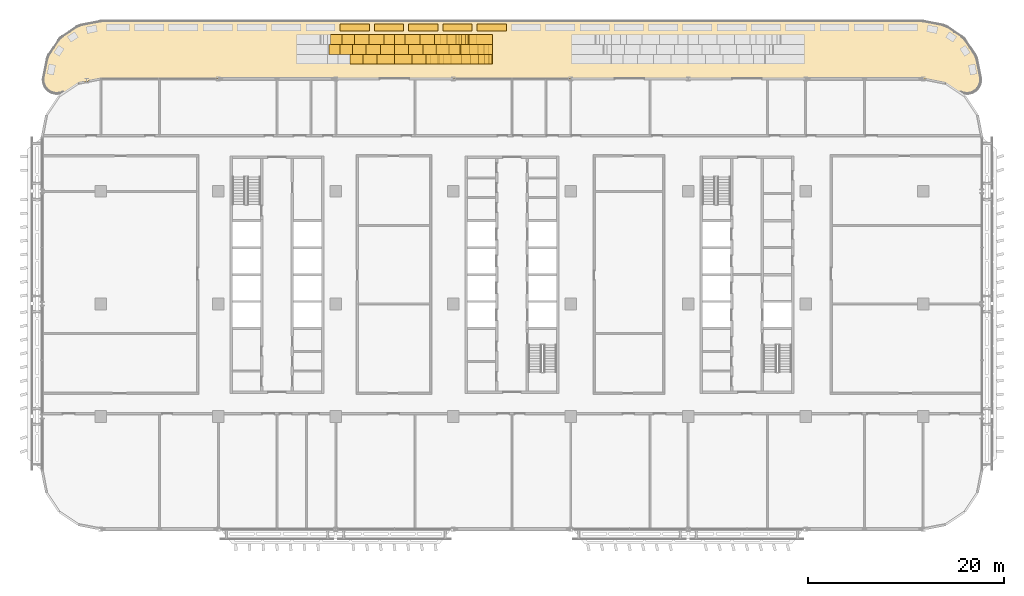
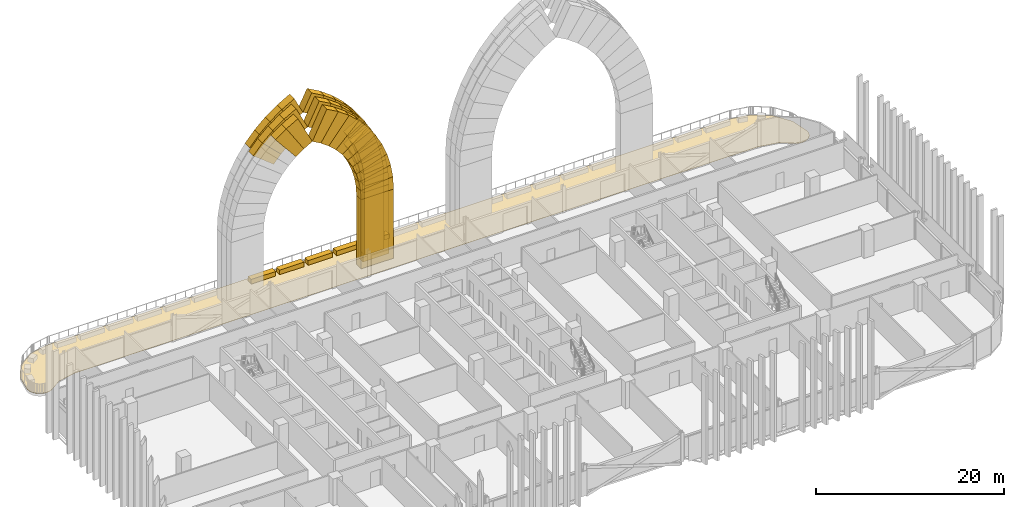
# One storey, part 25 of 30: 49 coverings.
"""IFC4 building model written with IfcOpenShell, lengths in metres."""

import ifcopenshell
import ifcopenshell.guid

model = None  # the IFC model being written
_history = None  # IfcOwnerHistory: only IFC2X3 demands one
_inside = {}  # id of a spatial element -> (the spatial element, [elements in it])
_under = {}  # id of a project, library or spatial element -> (it, [spatial elements below it])
_declared = {}  # id of a project -> (the project, [libraries it declares])
_typed = {}  # id of a type object -> (the type object, [elements of that type])
_made_of = {}  # id of a material, layer set ... -> (it, [elements and type objects made of it])


def new_model(schema):
    """Start an empty IFC model of exactly this schema.

    Asked for "IFC4X3", IfcOpenShell would pick the latest addendum, in which some entities
    have other attributes; the version numbers below select the first issue.
    IFC2X3 requires an IfcOwnerHistory on every rooted entity: one is made here for all.
    """
    global model, _history
    if schema == "IFC4X3":
        model = ifcopenshell.file(schema_version=(4, 3, 0, 0))
    else:
        model = ifcopenshell.file(schema=schema)
    _inside.clear()
    _under.clear()
    _declared.clear()
    _typed.clear()
    _made_of.clear()
    _history = None
    if model.schema == "IFC2X3":
        org = make("IfcOrganization", Name="unknown")
        user = make(
            "IfcPersonAndOrganization",
            ThePerson=make("IfcPerson", FamilyName="unknown"),
            TheOrganization=org,
        )
        app = make(
            "IfcApplication",
            ApplicationDeveloper=org,
            Version="unknown",
            ApplicationFullName="unknown",
            ApplicationIdentifier="unknown",
        )
        _history = make(
            "IfcOwnerHistory",
            OwningUser=user,
            OwningApplication=app,
            ChangeAction="ADDED",
            CreationDate=0,
        )
    return model


def make(cls, **values):
    """One entity of the class cls with the attributes given. An attribute that is None is left unset."""
    return model.create_entity(
        cls, **{name: value for name, value in values.items() if value is not None}
    )


def rooted(cls, **values):
    """An entity with a GlobalId (a new one), such as an element, a storey or a relation."""
    return make(cls, GlobalId=ifcopenshell.guid.new(), OwnerHistory=_history, **values)


def si_unit(unit_type, name, prefix=None):
    """IfcSIUnit, for example si_unit("LENGTHUNIT", "METRE", prefix="MILLI")."""
    return make("IfcSIUnit", UnitType=unit_type, Prefix=prefix, Name=name)


def assignment(units):
    """IfcUnitAssignment: the units of a project."""
    return None if units is None else make("IfcUnitAssignment", Units=units)


def point(xyz):
    """IfcCartesianPoint."""
    return None if xyz is None else make("IfcCartesianPoint", Coordinates=xyz)


def direction(xyz):
    """IfcDirection."""
    return None if xyz is None else make("IfcDirection", DirectionRatios=xyz)


def frame(location, z_axis=None, x_axis=None):
    """IfcAxis2Placement3D, a coordinate frame: its origin and axes. An axis left out is left unset."""
    return make(
        "IfcAxis2Placement3D",
        Location=point(location),
        Axis=direction(z_axis),
        RefDirection=direction(x_axis),
    )


def frame_2d(location, x_axis=None):
    """IfcAxis2Placement2D, a coordinate frame in the plane: its origin and x axis."""
    return make(
        "IfcAxis2Placement2D", Location=point(location), RefDirection=direction(x_axis)
    )


def origin():
    """The frame at (0, 0, 0) with its axes left unset."""
    return frame((0.0, 0.0, 0.0))


def origin_2d():
    """The frame at (0, 0) in the plane with its x axis left unset."""
    return frame_2d((0.0, 0.0))


def place(relative_to, where):
    """IfcLocalPlacement: puts the frame where relative to a parent placement (None: the world)."""
    return make(
        "IfcLocalPlacement", PlacementRelTo=relative_to, RelativePlacement=where
    )


def context(
    kind, dimensions, precision=None, world=None, true_north=None, identifier=None
):
    """IfcGeometricRepresentationContext, for example the 3D "Model" context."""
    return make(
        "IfcGeometricRepresentationContext",
        ContextIdentifier=identifier,
        ContextType=kind,
        CoordinateSpaceDimension=dimensions,
        Precision=precision,
        WorldCoordinateSystem=world,
        TrueNorth=true_north,
    )


def subcontext(parent, identifier, kind, view, scale=None):
    """IfcGeometricRepresentationSubContext, for example "Body" below "Model"."""
    return make(
        "IfcGeometricRepresentationSubContext",
        ContextIdentifier=identifier,
        ContextType=kind,
        ParentContext=parent,
        TargetScale=scale,
        TargetView=view,
    )


def project(units=None, contexts=None):
    """IfcProject with its units and contexts."""
    return rooted(
        "IfcProject",
        Name="project",
        RepresentationContexts=contexts,
        UnitsInContext=assignment(units),
    )


def spatial(cls, under=None, at=None, **own):
    """A site, building, storey or space (cls), placed at a placement, below another one or the project."""
    s = rooted(cls, ObjectPlacement=at, **own)
    if under is not None:
        _under.setdefault(under.id(), (under, []))[1].append(s)
    return s


def polyline(points):
    """IfcPolyline through the points."""
    return make("IfcPolyline", Points=[point(p) for p in points])


def profile(cls, at=None, kind="AREA", **sizes):
    """A parametric profile (cls). Its sizes go by their IFC names, for example OverallWidth=200.0."""
    return make(cls, ProfileType=kind, Position=at, **sizes)


def rectangle(**sizes):
    """IfcRectangleProfileDef."""
    return profile("IfcRectangleProfileDef", **sizes)


def outline(outer, holes=None, kind="AREA"):
    """IfcArbitraryClosedProfileDef: a profile drawn as a closed curve; with holes, ...WithVoids."""
    if holes is None:
        return make("IfcArbitraryClosedProfileDef", ProfileType=kind, OuterCurve=outer)
    return make(
        "IfcArbitraryProfileDefWithVoids",
        ProfileType=kind,
        OuterCurve=outer,
        InnerCurves=holes,
    )


def extrude(swept, where, along, depth):
    """IfcExtrudedAreaSolid: the profile swept, set in the frame where, extruded along a direction by depth."""
    return make(
        "IfcExtrudedAreaSolid",
        SweptArea=swept,
        Position=where,
        ExtrudedDirection=direction(along),
        Depth=depth,
    )


def shape(context_of_items, identifier, shape_type, items):
    """IfcShapeRepresentation: the items that make up one representation, for example the "Body"."""
    return make(
        "IfcShapeRepresentation",
        ContextOfItems=context_of_items,
        RepresentationIdentifier=identifier,
        RepresentationType=shape_type,
        Items=items,
    )


def material(Name=None, Category=None):
    """IfcMaterial."""
    return make("IfcMaterial", Name=Name, Category=Category)


def layer(
    of_material, thickness, ventilated=None, Name=None, Category=None, Priority=None
):
    """IfcMaterialLayer: one layer of a wall or slab, of a material (None: an air gap)."""
    return make(
        "IfcMaterialLayer",
        Material=of_material,
        LayerThickness=thickness,
        IsVentilated=ventilated,
        Name=Name,
        Category=Category,
        Priority=Priority,
    )


def layer_set(layers, Name=None):
    """IfcMaterialLayerSet."""
    return make("IfcMaterialLayerSet", MaterialLayers=layers, LayerSetName=Name)


def made_of(thing, what):
    """Note that an element or type object is made of a material, layer set ...; save() writes the relation."""
    if what is not None:
        _made_of.setdefault(what.id(), (what, []))[1].append(thing)
    return thing


def type_object(cls, material=None, **own):
    """A type object (cls), such as IfcWallType, which elements share."""
    return made_of(rooted(cls, **own), material)


def element(
    cls,
    number,
    at=None,
    inside=None,
    cuts=None,
    type_object=None,
    material=None,
    context=None,
    identifier="Body",
    shape_type=None,
    held_by="IfcProductDefinitionShape",
    body=None,
    shapes=None,
    **own,
):
    """One element of the class cls, such as IfcWall. Its Tag is "e" and its number.

    at: its placement. inside: the storey or other place that contains it. cuts: it is an
    opening in that element (IfcRelVoidsElement). A single representation is given by context,
    identifier, shape_type and body (its items); several are given by shapes. held_by: the class
    of the entity that holds the representations. save() writes the other relations.
    """
    e = rooted(cls, Tag="e%d" % number, ObjectPlacement=at, **own)
    if body is not None:
        shapes = [shape(context, identifier, shape_type, body)]
    if shapes is not None:
        e.Representation = make(held_by, Representations=shapes)
    if inside is not None:
        _inside.setdefault(inside.id(), (inside, []))[1].append(e)
    if cuts is not None:
        rooted(
            "IfcRelVoidsElement", RelatingBuildingElement=cuts, RelatedOpeningElement=e
        )
    if type_object is not None:
        _typed.setdefault(type_object.id(), (type_object, []))[1].append(e)
    return made_of(e, material)


def aggregate(whole, parts):
    """IfcRelAggregates: a whole, such as a stair, and the parts it consists of."""
    return rooted("IfcRelAggregates", RelatingObject=whole, RelatedObjects=parts)


def save(model, path):
    """Write the relations noted so far, then the file.

    IfcRelAggregates (storeys below a building ...), IfcRelContainedInSpatialStructure (elements
    in a storey), IfcRelDefinesByType, IfcRelAssociatesMaterial and IfcRelDeclares: one each for
    every whole, place, type object, material and project.
    """
    for whole, parts in _under.values():
        aggregate(whole, parts)
    for where, things in _inside.values():
        rooted(
            "IfcRelContainedInSpatialStructure",
            RelatedElements=things,
            RelatingStructure=where,
        )
    for kind, things in _typed.values():
        rooted("IfcRelDefinesByType", RelatedObjects=things, RelatingType=kind)
    for what, things in _made_of.values():
        rooted("IfcRelAssociatesMaterial", RelatedObjects=things, RelatingMaterial=what)
    for by, libraries in _declared.values():
        rooted("IfcRelDeclares", RelatingContext=by, RelatedDefinitions=libraries)
    model.write(path)


model = new_model("IFC4")

# Units and contexts
model_context = context("Model", 3, precision=1e-05, world=origin(), true_north=direction((0.0, 1.0)))
body_context = subcontext(model_context, "Body", "Model", "MODEL_VIEW")
ifc_project = project(units=[si_unit("LENGTHUNIT", "METRE"), si_unit("AREAUNIT", "SQUARE_METRE"), si_unit("VOLUMEUNIT", "CUBIC_METRE"), si_unit("PLANEANGLEUNIT", "RADIAN"), si_unit("MASSUNIT", "GRAM", prefix="KILO")], contexts=[model_context])

# Site, building, storey
site_placement = place(None, origin())
site = spatial("IfcSite", under=ifc_project, at=site_placement, CompositionType="ELEMENT")
building_placement = place(site_placement, origin())
building = spatial("IfcBuilding", under=site, at=building_placement, Name="Mahtab Terrace Research Tower", CompositionType="ELEMENT")
storey_placement = place(building_placement, frame((0.0, 0.0, 159.199951171875)))
storey = spatial("IfcBuildingStorey", under=building, at=storey_placement, Name="L37", CompositionType="ELEMENT", Elevation=159.199951171875)

# Coverings
ifc_material_1 = material(Name="Glazed ceramic tile cladding", Category="masonry")
ifc_layer_1 = layer(ifc_material_1, 1.0)
ifc_layer_set_1 = layer_set([ifc_layer_1], Name="Iwan portal cladding arch course 800")
covering_type_1 = type_object("IfcCoveringType", Name="Iwan portal cladding arch course 800", PredefinedType="CLADDING", material=ifc_layer_set_1)
covering_1_placement = place(storey_placement, frame((-2.0, 24.5, 9.030029296875), z_axis=(0.0, -1.0, 0.0), x_axis=(-0.055437093457, 0.0, 0.998462181892)))
element("IfcCovering", 1, at=covering_1_placement, inside=storey, type_object=covering_type_1, Name="Iwan portal arch course 4.2.1W1", PredefinedType="CLADDING", context=body_context, shape_type="SweptSolid", body=[
    extrude(outline(polyline([(0.0, 0.0), (1.6426628354032278, -1.3877787807814457e-17), (1.420583357484056, 3.993305934573356), (0.22174837382899998, 3.993848727568959), (0.0, 0.0)])), origin(), (0.0, 0.0, -1.0), 1.0),
])
covering_2_placement = place(storey_placement, frame((-2.091064453125, 24.5, 10.670166015625), z_axis=(0.0, -1.0, 0.0), x_axis=(-0.165677060377, 0.0, 0.986180060468)))
element("IfcCovering", 2, at=covering_2_placement, inside=storey, type_object=covering_type_1, Name="Iwan portal arch course 4.2.1W2", PredefinedType="CLADDING", context=body_context, shape_type="SweptSolid", body=[
    extrude(outline(polyline([(0.0, 0.0), (1.6415830630429322, -5.551115123125783e-17), (1.4191042888045753, 3.993910702466245), (0.2215506372685931, 3.993335309830307), (0.0, 0.0)])), origin(), (0.0, 0.0, -1.0), 1.0),
])
covering_3_placement = place(storey_placement, frame((-2.363037109375, 24.5, 12.2890625), z_axis=(0.0, -1.0, 0.0), x_axis=(-0.273877063841, 0.0, 0.961764708181)))
element("IfcCovering", 3, at=covering_3_placement, inside=storey, type_object=covering_type_1, Name="Iwan portal arch course 4.2.1W3", PredefinedType="CLADDING", context=body_context, shape_type="SweptSolid", body=[
    extrude(outline(polyline([(0.0, 0.0), (1.6428946826182138, 0.0), (1.4203357913264014, 3.9946980819467073), (0.22121445372998272, 3.9939809300648847), (0.0, 0.0)])), origin(), (0.0, 0.0, -1.0), 1.0),
])
covering_4_placement = place(storey_placement, frame((-2.81298828125, 24.5, 13.869140625), z_axis=(0.0, -1.0, 0.0), x_axis=(-0.379269308261, 0.0, 0.925286329636)))
element("IfcCovering", 4, at=covering_4_placement, inside=storey, type_object=covering_type_1, Name="Iwan portal arch course 4.2.1W4", PredefinedType="CLADDING", context=body_context, shape_type="SweptSolid", body=[
    extrude(outline(polyline([(0.0, 0.0), (1.6427558503407425, 0.0), (1.422137776305045, 3.9941519644603893), (0.22364736885833691, 3.9946372902185354), (0.0, 0.0)])), origin(), (0.0, 0.0, -1.0), 1.0),
])
covering_5_placement = place(storey_placement, frame((-3.43603515625, 24.5, 15.38916015625), z_axis=(0.0, -1.0, 0.0), x_axis=(-0.478820864805, 0.0, 0.877912626306)))
element("IfcCovering", 5, at=covering_5_placement, inside=storey, type_object=covering_type_1, Name="Iwan portal arch course 4.2.1W5", PredefinedType="CLADDING", context=body_context, shape_type="SweptSolid", body=[
    extrude(outline(polyline([(0.0, 0.0), (1.6412999717443724, 0.0), (1.4188001105659165, 3.9943428938694208), (0.22040329418192073, 3.994163822091899), (0.0, 0.0)])), origin(), (0.0, 0.0, -1.0), 1.0),
])
covering_6_placement = place(storey_placement, frame((-4.221923828125, 24.5, 16.830078125), z_axis=(0.0, -1.0, 0.0), x_axis=(-0.57345237108, 0.0, 0.819238901727)))
element("IfcCovering", 6, at=covering_6_placement, inside=storey, type_object=covering_type_1, Name="Iwan portal arch course 4.2.1W6", PredefinedType="CLADDING", context=body_context, shape_type="SweptSolid", body=[
    extrude(outline(polyline([(0.0, 0.0), (1.6429240149458537, -1.1102230246251565e-16), (1.4213467601284338, 3.994052927058391), (0.22294006213898498, 3.9943183486951863), (0.0, 0.0)])), origin(), (0.0, 0.0, -1.0), 1.0),
])
covering_7_placement = place(storey_placement, frame((-5.1640625, 24.5, 18.176025390625), z_axis=(0.0, -1.0, 0.0), x_axis=(-0.660627894892, 0.0, 0.750713516923)))
element("IfcCovering", 7, at=covering_7_placement, inside=storey, type_object=covering_type_1, Name="Iwan portal arch course 4.2.1W7", PredefinedType="CLADDING", context=body_context, shape_type="SweptSolid", body=[
    extrude(outline(polyline([(0.0, 0.0), (1.642317779628924, -1.1102230246251565e-16), (1.4207619867097583, 3.9940891574966066), (0.22198100174711066, 3.994030508003097), (0.0, 0.0)])), origin(), (0.0, 0.0, -1.0), 1.0),
])
covering_8_placement = place(storey_placement, frame((-6.2490234375, 24.5, 19.408935546875), z_axis=(0.0, -1.0, 0.0), x_axis=(-0.739758455657, 0.0, 0.672872519341)))
element("IfcCovering", 8, at=covering_8_placement, inside=storey, type_object=covering_type_1, Name="Iwan portal arch course 4.2.1W8", PredefinedType="CLADDING", context=body_context, shape_type="SweptSolid", body=[
    extrude(outline(polyline([(0.0, 0.0), (1.6425468088038264, 0.0), (1.4203208981252005, 3.993836333029879), (0.22246726178672005, 3.994038493159663), (0.0, 0.0)])), origin(), (0.0, 0.0, -1.0), 1.0),
])
covering_9_placement = place(storey_placement, frame((-7.464111328125, 24.5, 20.51416015625), z_axis=(0.0, -1.0, 0.0), x_axis=(-0.80968637444, 0.0, 0.586862824727)))
element("IfcCovering", 9, at=covering_9_placement, inside=storey, type_object=covering_type_1, Name="Iwan portal arch course 4.2.1W9", PredefinedType="CLADDING", context=body_context, shape_type="SweptSolid", body=[
    extrude(outline(polyline([(0.0, 0.0), (1.6424062777333286, 0.0), (1.419830523295164, 3.994594574532145), (0.22117310543967927, 3.993894774256911), (0.0, 0.0)])), origin(), (0.0, 0.0, -1.0), 1.0),
])
covering_10_placement = place(storey_placement, frame((-8.7939453125, 24.5, 21.47802734375), z_axis=(0.0, -1.0, 0.0), x_axis=(-0.869794590847, 0.0, 0.493413994261)))
element("IfcCovering", 10, at=covering_10_placement, inside=storey, type_object=covering_type_1, Name="Iwan portal arch course 4.2.1W10", PredefinedType="CLADDING", context=body_context, shape_type="SweptSolid", body=[
    extrude(outline(polyline([(0.0, 0.0), (1.641742235064569, 0.0), (1.4203970752426458, 3.9938084803416776), (0.22195658456401945, 3.994629026069135), (0.0, 0.0)])), origin(), (0.0, 0.0, -1.0), 1.0),
])
covering_11_placement = place(storey_placement, frame((-14.012939453125, 24.5, 17.41015625), z_axis=(0.0, -1.0, 0.0), x_axis=(0.810028858696, 0.0, 0.586390013625)))
element("IfcCovering", 11, at=covering_11_placement, inside=storey, type_object=covering_type_1, Name="Iwan portal arch course 4.2.1E9", PredefinedType="CLADDING", context=body_context, shape_type="SweptSolid", body=[
    extrude(outline(polyline([(0.0, 0.0), (1.1986576221341951, 0.0), (1.418901214494905, 3.9947238379354104), (-0.2235047833347794, 3.9937649683266248), (0.0, 0.0)])), origin(), (0.0, 0.0, -1.0), 1.0),
])
covering_12_placement = place(storey_placement, frame((-13.0419921875, 24.5, 18.113037109375), z_axis=(0.0, -1.0, 0.0), x_axis=(0.869456557393, 0.0, 0.49400940761)))
element("IfcCovering", 12, at=covering_12_placement, inside=storey, type_object=covering_type_1, Name="Iwan portal arch course 4.2.1E10", PredefinedType="CLADDING", context=body_context, shape_type="SweptSolid", body=[
    extrude(outline(polyline([(0.0, 0.0), (1.198440771583359, 0.0), (1.4225203513162432, 3.993655994120228), (-0.21922149893734888, 3.994780058494965), (0.0, 0.0)])), origin(), (0.0, 0.0, -1.0), 1.0),
])
covering_13_placement = place(storey_placement, frame((-2.0, 25.5, 9.030029296875), z_axis=(0.0, -1.0, 0.0), x_axis=(-0.055422674108, 0.0, 0.998462982386)))
element("IfcCovering", 13, at=covering_13_placement, inside=storey, type_object=covering_type_1, Name="Iwan portal arch course 4.2.2W1", PredefinedType="CLADDING", context=body_context, shape_type="SweptSolid", body=[
    extrude(outline(polyline([(0.0, 0.0), (1.7135712892547854, 0.0), (1.5353767467416721, 3.194717996515579), (0.17734985095997974, 3.1950327905592237), (0.0, 0.0)])), origin(), (0.0, 0.0, -1.0), 1.0),
])
covering_14_placement = place(storey_placement, frame((-2.094970703125, 25.5, 10.740966796875), z_axis=(0.0, -1.0, 0.0), x_axis=(-0.165785799005, 0.0, 0.986161786345)))
element("IfcCovering", 14, at=covering_14_placement, inside=storey, type_object=covering_type_1, Name="Iwan portal arch course 4.2.2W2", PredefinedType="CLADDING", context=body_context, shape_type="SweptSolid", body=[
    extrude(outline(polyline([(0.0, 0.0), (1.7126650688919498, 0.0), (1.536142697712223, 3.1955560015426827), (0.17711933464351381, 3.1947777878183348), (0.0, 0.0)])), origin(), (0.0, 0.0, -1.0), 1.0),
])
covering_15_placement = place(storey_placement, frame((-2.37890625, 25.5, 12.429931640625), z_axis=(0.0, -1.0, 0.0), x_axis=(-0.274344842849, 0.0, 0.961631378025)))
element("IfcCovering", 15, at=covering_15_placement, inside=storey, type_object=covering_type_1, Name="Iwan portal arch course 4.2.2W3", PredefinedType="CLADDING", context=body_context, shape_type="SweptSolid", body=[
    extrude(outline(polyline([(0.0, 0.0), (1.713955468841208, 0.0), (1.5375503830734787, 3.194905737262012), (0.17967250671671264, 3.1953804306924867), (0.0, 0.0)])), origin(), (0.0, 0.0, -1.0), 1.0),
])
covering_16_placement = place(storey_placement, frame((-2.84912109375, 25.5, 14.078125), z_axis=(0.0, -1.0, 0.0), x_axis=(-0.378699417283, 0.0, 0.92551971959)))
element("IfcCovering", 16, at=covering_16_placement, inside=storey, type_object=covering_type_1, Name="Iwan portal arch course 4.2.2W4", PredefinedType="CLADDING", context=body_context, shape_type="SweptSolid", body=[
    extrude(outline(polyline([(0.0, 0.0), (1.7135642455061826, 1.1102230246251565e-16), (1.5350054427666175, 3.194460439463735), (0.17693334570889974, 3.194876525853652), (0.0, 0.0)])), origin(), (0.0, 0.0, -1.0), 1.0),
])
covering_17_placement = place(storey_placement, frame((-3.498046875, 25.5, 15.6640625), z_axis=(0.0, -1.0, 0.0), x_axis=(-0.479181539888, 0.0, 0.87771581496)))
element("IfcCovering", 17, at=covering_17_placement, inside=storey, type_object=covering_type_1, Name="Iwan portal arch course 4.2.2W5", PredefinedType="CLADDING", context=body_context, shape_type="SweptSolid", body=[
    extrude(outline(polyline([(0.0, 0.0), (1.7134318698231883, 1.1102230246251565e-16), (1.5356068035048103, 3.1948890312093434), (0.17745597940444569, 3.1945218923507532), (0.0, 0.0)])), origin(), (0.0, 0.0, -1.0), 1.0),
])
covering_18_placement = place(storey_placement, frame((-4.319091796875, 25.5, 17.16796875), z_axis=(0.0, -1.0, 0.0), x_axis=(-0.573376231142, 0.0, 0.819292193031)))
element("IfcCovering", 18, at=covering_18_placement, inside=storey, type_object=covering_type_1, Name="Iwan portal arch course 4.2.2W6", PredefinedType="CLADDING", context=body_context, shape_type="SweptSolid", body=[
    extrude(outline(polyline([(0.0, 0.0), (1.7125467370609757, 0.0), (1.53530403265396, 3.1948258713308464), (0.17685108212395706, 3.19494309350018), (0.0, 0.0)])), origin(), (0.0, 0.0, -1.0), 1.0),
])
covering_19_placement = place(storey_placement, frame((-5.301025390625, 25.5, 18.571044921875), z_axis=(0.0, -1.0, 0.0), x_axis=(-0.660438440823, 0.0, 0.750880194095)))
element("IfcCovering", 19, at=covering_19_placement, inside=storey, type_object=covering_type_1, Name="Iwan portal arch course 4.2.2W7", PredefinedType="CLADDING", context=body_context, shape_type="SweptSolid", body=[
    extrude(outline(polyline([(0.0, 0.0), (1.714134139004412, 0.0), (1.5347840627620657, 3.1955238171953684), (0.1770484181881733, 3.1948366440253997), (0.0, 0.0)])), origin(), (0.0, 0.0, -1.0), 1.0),
])
covering_20_placement = place(storey_placement, frame((-6.43310546875, 25.5, 19.858154296875), z_axis=(0.0, -1.0, 0.0), x_axis=(-0.739888455699, 0.0, 0.672729569086)))
element("IfcCovering", 20, at=covering_20_placement, inside=storey, type_object=covering_type_1, Name="Iwan portal arch course 4.2.2W8", PredefinedType="CLADDING", context=body_context, shape_type="SweptSolid", body=[
    extrude(outline(polyline([(0.0, 0.0), (1.712211744036221, 0.0), (1.5357512486809184, 3.1953464674816057), (0.17733318463866898, 3.1956363775837984), (0.0, 0.0)])), origin(), (0.0, 0.0, -1.0), 1.0),
])
covering_21_placement = place(storey_placement, frame((-7.699951171875, 25.5, 21.010009765625), z_axis=(0.0, -1.0, 0.0), x_axis=(-0.809652741115, 0.0, 0.586909225354)))
element("IfcCovering", 21, at=covering_21_placement, inside=storey, type_object=covering_type_1, Name="Iwan portal arch course 4.2.2W9", PredefinedType="CLADDING", context=body_context, shape_type="SweptSolid", body=[
    extrude(outline(polyline([(0.0, 0.0), (1.7142404177051445, 0.0), (1.5358711694807674, 3.1957553938613845), (0.17748079765025082, 3.1952899586944596), (0.0, 0.0)])), origin(), (0.0, 0.0, -1.0), 1.0),
])
covering_22_placement = place(storey_placement, frame((-9.087890625, 25.5, 22.01611328125), z_axis=(0.0, -1.0, 0.0), x_axis=(-0.869861148787, 0.0, 0.493296646887)))
element("IfcCovering", 22, at=covering_22_placement, inside=storey, type_object=covering_type_1, Name="Iwan portal arch course 4.2.2W10", PredefinedType="CLADDING", context=body_context, shape_type="SweptSolid", body=[
    extrude(outline(polyline([(0.0, 0.0), (1.7129058315250214, 0.0), (1.5361802099128599, 3.1945197738608115), (0.17788166035771513, 3.195782570985493), (0.0, 0.0)])), origin(), (0.0, 0.0, -1.0), 1.0),
])
covering_23_placement = place(storey_placement, frame((-16.18310546875, 25.5, 16.593994140625), z_axis=(0.0, -1.0, 0.0), x_axis=(0.660818389462, 0.0, 0.750545838806)))
element("IfcCovering", 23, at=covering_23_placement, inside=storey, type_object=covering_type_1, Name="Iwan portal arch course 4.2.2E7", PredefinedType="CLADDING", context=body_context, shape_type="SweptSolid", body=[
    extrude(outline(polyline([(0.0, 0.0), (1.357735818468913, 0.0), (1.535468562834625, 3.195614180042895), (-0.17866535662826277, 3.1947466276265644), (0.0, 0.0)])), origin(), (0.0, 0.0, -1.0), 1.0),
])
covering_24_placement = place(storey_placement, frame((-15.285888671875, 25.5, 17.613037109375), z_axis=(0.0, -1.0, 0.0), x_axis=(0.739744866632, 0.0, 0.672887458861)))
element("IfcCovering", 24, at=covering_24_placement, inside=storey, type_object=covering_type_1, Name="Iwan portal arch course 4.2.2E8", PredefinedType="CLADDING", context=body_context, shape_type="SweptSolid", body=[
    extrude(outline(polyline([(0.0, 0.0), (1.3584180949781846, -1.1102230246251565e-16), (1.5355605289541403, 3.1953087349665115), (-0.17665117608902614, 3.195674150800947), (0.0, 0.0)])), origin(), (0.0, 0.0, -1.0), 1.0),
])
covering_25_placement = place(storey_placement, frame((-14.281005859375, 25.5, 18.527099609375), z_axis=(0.0, -1.0, 0.0), x_axis=(0.80985379055, 0.0, 0.586631773714)))
element("IfcCovering", 25, at=covering_25_placement, inside=storey, type_object=covering_type_1, Name="Iwan portal arch course 4.2.2E9", PredefinedType="CLADDING", context=body_context, shape_type="SweptSolid", body=[
    extrude(outline(polyline([(0.0, 0.0), (1.3583904515682312, 1.1102230246251565e-16), (1.535664704486781, 3.1958163222185396), (-0.17857561259220467, 3.195228959598284), (0.0, 0.0)])), origin(), (0.0, 0.0, -1.0), 1.0),
])
covering_26_placement = place(storey_placement, frame((-13.180908203125, 25.5, 19.323974609375), z_axis=(0.0, -1.0, 0.0), x_axis=(0.869402159907, 0.0, 0.494105134915)))
element("IfcCovering", 26, at=covering_26_placement, inside=storey, type_object=covering_type_1, Name="Iwan portal arch course 4.2.2E10", PredefinedType="CLADDING", context=body_context, shape_type="SweptSolid", body=[
    extrude(outline(polyline([(0.0, 0.0), (1.3582991365602013, 0.0), (1.5379945948878229, 3.1943540932680525), (-0.17491049638465972, 3.195946564691083), (0.0, 0.0)])), origin(), (0.0, 0.0, -1.0), 1.0),
])
covering_27_placement = place(storey_placement, frame((-2.0, 26.5, 9.030029296875), z_axis=(0.0, -1.0, 0.0), x_axis=(-0.055538205847, 0.0, 0.998456562746)))
element("IfcCovering", 27, at=covering_27_placement, inside=storey, type_object=covering_type_1, Name="Iwan portal arch course 4.2.3W1", PredefinedType="CLADDING", context=body_context, shape_type="SweptSolid", body=[
    extrude(outline(polyline([(0.0, 0.0), (1.784737051528232, 0.0), (1.651723867416833, 2.3958507839535548), (0.13328627037915539, 2.3961982450676236), (0.0, 0.0)])), origin(), (0.0, 0.0, -1.0), 1.0),
])
covering_28_placement = place(storey_placement, frame((-2.09912109375, 26.5, 10.81201171875), z_axis=(0.0, -1.0, 0.0), x_axis=(-0.165885869421, 0.0, 0.98614495807)))
element("IfcCovering", 28, at=covering_28_placement, inside=storey, type_object=covering_type_1, Name="Iwan portal arch course 4.2.3W2", PredefinedType="CLADDING", context=body_context, shape_type="SweptSolid", body=[
    extrude(outline(polyline([(0.0, 0.0), (1.7837470939040487, -5.551115123125783e-17), (1.6513369517107102, 2.3962292818576336), (0.13341340653549366, 2.3958285308166176), (0.0, 0.0)])), origin(), (0.0, 0.0, -1.0), 1.0),
])
covering_29_placement = place(storey_placement, frame((-2.39501953125, 26.5, 12.571044921875), z_axis=(0.0, -1.0, 0.0), x_axis=(-0.27405244569, 0.0, 0.961714748255)))
element("IfcCovering", 29, at=covering_29_placement, inside=storey, type_object=covering_type_1, Name="Iwan portal arch course 4.2.3W3", PredefinedType="CLADDING", context=body_context, shape_type="SweptSolid", body=[
    extrude(outline(polyline([(0.0, 0.0), (1.7843798862797897, -5.551115123125783e-17), (1.651791861149094, 2.3961392741323135), (0.13371579620252871, 2.396156777598981), (0.0, 0.0)])), origin(), (0.0, 0.0, -1.0), 1.0),
])
covering_30_placement = place(storey_placement, frame((-2.884033203125, 26.5, 14.287109375), z_axis=(0.0, -1.0, 0.0), x_axis=(-0.378760670522, 0.0, 0.925494653937)))
element("IfcCovering", 30, at=covering_30_placement, inside=storey, type_object=covering_type_1, Name="Iwan portal arch course 4.2.3W4", PredefinedType="CLADDING", context=body_context, shape_type="SweptSolid", body=[
    extrude(outline(polyline([(0.0, 0.0), (1.7848352356475279, 0.0), (1.6514162385715965, 2.3960441552631853), (0.13330024431232146, 2.396099758005427), (0.0, 0.0)])), origin(), (0.0, 0.0, -1.0), 1.0),
])
covering_31_placement = place(storey_placement, frame((-3.56005859375, 26.5, 15.93896484375), z_axis=(0.0, -1.0, 0.0), x_axis=(-0.479158866863, 0.0, 0.877728192726)))
element("IfcCovering", 31, at=covering_31_placement, inside=storey, type_object=covering_type_1, Name="Iwan portal arch course 4.2.3W5", PredefinedType="CLADDING", context=body_context, shape_type="SweptSolid", body=[
    extrude(outline(polyline([(0.0, 0.0), (1.7843361103743653, 0.0), (1.650924821637528, 2.3959441195640063), (0.13339061142447328, 2.396045735693587), (0.0, 0.0)])), origin(), (0.0, 0.0, -1.0), 1.0),
])
covering_32_placement = place(storey_placement, frame((-4.4150390625, 26.5, 17.505126953125), z_axis=(0.0, -1.0, 0.0), x_axis=(-0.573315404185, 0.0, 0.819334759012)))
element("IfcCovering", 32, at=covering_32_placement, inside=storey, type_object=covering_type_1, Name="Iwan portal arch course 4.2.3W6", PredefinedType="CLADDING", context=body_context, shape_type="SweptSolid", body=[
    extrude(outline(polyline([(0.0, 0.0), (1.7842695509021305, -1.1102230246251565e-16), (1.651094607715592, 2.3962295208540683), (0.13245545277180648, 2.395997151306066), (0.0, 0.0)])), origin(), (0.0, 0.0, -1.0), 1.0),
])
covering_33_placement = place(storey_placement, frame((-5.43798828125, 26.5, 18.967041015625), z_axis=(0.0, -1.0, 0.0), x_axis=(-0.660797539154, 0.0, 0.750564195954)))
element("IfcCovering", 33, at=covering_33_placement, inside=storey, type_object=covering_type_1, Name="Iwan portal arch course 4.2.3W7", PredefinedType="CLADDING", context=body_context, shape_type="SweptSolid", body=[
    extrude(outline(polyline([(0.0, 0.0), (1.7841396316850948, 1.1102230246251565e-16), (1.651444218473985, 2.396360380901658), (0.13388116550282625, 2.3961901668333545), (0.0, 0.0)])), origin(), (0.0, 0.0, -1.0), 1.0),
])
covering_34_placement = place(storey_placement, frame((-6.616943359375, 26.5, 20.30615234375), z_axis=(0.0, -1.0, 0.0), x_axis=(-0.739698607121, 0.0, 0.672938311157)))
element("IfcCovering", 34, at=covering_34_placement, inside=storey, type_object=covering_type_1, Name="Iwan portal arch course 4.2.3W8", PredefinedType="CLADDING", context=body_context, shape_type="SweptSolid", body=[
    extrude(outline(polyline([(0.0, 0.0), (1.7846030081264783, -1.1102230246251565e-16), (1.6506703345745244, 2.3954785133675953), (0.13295193398062377, 2.396346162617834), (0.0, 0.0)])), origin(), (0.0, 0.0, -1.0), 1.0),
])
covering_35_placement = place(storey_placement, frame((-7.93701171875, 26.5, 21.507080078125), z_axis=(0.0, -1.0, 0.0), x_axis=(-0.809634835173, 0.0, 0.586933926157)))
element("IfcCovering", 35, at=covering_35_placement, inside=storey, type_object=covering_type_1, Name="Iwan portal arch course 4.2.3W9", PredefinedType="CLADDING", context=body_context, shape_type="SweptSolid", body=[
    extrude(outline(polyline([(0.0, 0.0), (1.7836334778834657, 0.0), (1.6508816281345426, 2.3960254882474152), (0.1320219772371758, 2.3955845772122064), (0.0, 0.0)])), origin(), (0.0, 0.0, -1.0), 1.0),
])
covering_36_placement = place(storey_placement, frame((-9.381103515625, 26.5, 22.553955078125), z_axis=(0.0, -1.0, 0.0), x_axis=(-0.869628771426, 0.0, 0.493706187836)))
element("IfcCovering", 36, at=covering_36_placement, inside=storey, type_object=covering_type_1, Name="Iwan portal arch course 4.2.3W10", PredefinedType="CLADDING", context=body_context, shape_type="SweptSolid", body=[
    extrude(outline(polyline([(0.0, 0.0), (1.7846718095354535, -1.1102230246251565e-16), (1.6510538996340007, 2.396349365728309), (0.13328696814402508, 2.3959957800601397), (0.0, 0.0)])), origin(), (0.0, 0.0, -1.0), 1.0),
])
covering_37_placement = place(storey_placement, frame((-16.675048828125, 26.5, 17.484130859375), z_axis=(0.0, -1.0, 0.0), x_axis=(0.660881720353, 0.0, 0.750490074354)))
element("IfcCovering", 37, at=covering_37_placement, inside=storey, type_object=covering_type_1, Name="Iwan portal arch course 4.2.3E7", PredefinedType="CLADDING", context=body_context, shape_type="SweptSolid", body=[
    extrude(outline(polyline([(0.0, 0.0), (1.5175630625169991, 0.0), (1.6499896924885067, 2.3963752493123436), (-0.13414992797391667, 2.3961751352791074), (0.0, 0.0)])), origin(), (0.0, 0.0, -1.0), 1.0),
])
covering_38_placement = place(storey_placement, frame((-15.672119140625, 26.5, 18.623046875), z_axis=(0.0, -1.0, 0.0), x_axis=(0.739313780939, 0.0, 0.673361072021)))
element("IfcCovering", 38, at=covering_38_placement, inside=storey, type_object=covering_type_1, Name="Iwan portal arch course 4.2.3E8", PredefinedType="CLADDING", context=body_context, shape_type="SweptSolid", body=[
    extrude(outline(polyline([(0.0, 0.0), (1.5177186486027403, 1.1102230246251565e-16), (1.6530207471937246, 2.3954015553070582), (-0.13158196931261545, 2.3964217769821365), (0.0, 0.0)])), origin(), (0.0, 0.0, -1.0), 1.0),
])
covering_39_placement = place(storey_placement, frame((-14.550048828125, 26.5, 19.64501953125), z_axis=(0.0, -1.0, 0.0), x_axis=(0.809805182591, 0.0, 0.586698871865)))
element("IfcCovering", 39, at=covering_39_placement, inside=storey, type_object=covering_type_1, Name="Iwan portal arch course 4.2.3E9", PredefinedType="CLADDING", context=body_context, shape_type="SweptSolid", body=[
    extrude(outline(polyline([(0.0, 0.0), (1.5188597148935814, 0.0), (1.6509160148404614, 2.3960639239359542), (-0.13271738789071041, 2.3955461515074314), (0.0, 0.0)])), origin(), (0.0, 0.0, -1.0), 1.0),
])
covering_40_placement = place(storey_placement, frame((-13.320068359375, 26.5, 20.5361328125), z_axis=(0.0, -1.0, 0.0), x_axis=(0.869743763792, 0.0, 0.493503581896)))
element("IfcCovering", 40, at=covering_40_placement, inside=storey, type_object=covering_type_1, Name="Iwan portal arch course 4.2.3E10", PredefinedType="CLADDING", context=body_context, shape_type="SweptSolid", body=[
    extrude(outline(polyline([(0.0, 0.0), (1.5177669726764123, 0.0), (1.6508266148660575, 2.396380428916341), (-0.13384514624017485, 2.3959646639236922), (0.0, 0.0)])), origin(), (0.0, 0.0, -1.0), 1.0),
])
ifc_layer_2 = layer(ifc_material_1, 1.0)
ifc_layer_set_2 = layer_set([ifc_layer_2], Name="Iwan portal cladding pilaster 900")
covering_type_2 = type_object("IfcCoveringType", Name="Iwan portal cladding pilaster 900", PredefinedType="CLADDING", material=ifc_layer_set_2)
covering_41_placement = place(storey_placement, frame((-4.0, 25.0, 0.030029296875), z_axis=(0.0, 0.0, 1.0), x_axis=(-1.0, 0.0, 0.0)))
element("IfcCovering", 41, at=covering_41_placement, inside=storey, type_object=covering_type_2, Name="Iwan portal pilaster 4.2.1W", PredefinedType="CLADDING", context=body_context, shape_type="SweptSolid", body=[
    extrude(rectangle(XDim=4.0, YDim=1.0, at=origin_2d()), origin(), (0.0, 0.0, 1.0), 9.0),
])
covering_42_placement = place(storey_placement, frame((-3.60009765625, 26.0, 0.030029296875), z_axis=(0.0, 0.0, 1.0), x_axis=(-1.0, 0.0, 0.0)))
element("IfcCovering", 42, at=covering_42_placement, inside=storey, type_object=covering_type_2, Name="Iwan portal pilaster 4.2.2W", PredefinedType="CLADDING", context=body_context, shape_type="SweptSolid", body=[
    extrude(rectangle(XDim=3.199951171875, YDim=1.0, at=origin_2d()), origin(), (0.0, 0.0, 1.0), 9.0),
])
covering_43_placement = place(storey_placement, frame((-3.199951171875, 27.0, 0.030029296875), z_axis=(0.0, 0.0, 1.0), x_axis=(-1.0, 0.0, 0.0)))
element("IfcCovering", 43, at=covering_43_placement, inside=storey, type_object=covering_type_2, Name="Iwan portal pilaster 4.2.3W", PredefinedType="CLADDING", context=body_context, shape_type="SweptSolid", body=[
    extrude(rectangle(XDim=2.39990234375, YDim=1.0, at=origin_2d()), origin(), (0.0, 0.0, 1.0), 9.0),
])
ifc_material_2 = material(Name="Planting soil and shrubs")
ifc_layer_3 = layer(ifc_material_2, 0.1201171875)
ifc_layer_set_3 = layer_set([ifc_layer_3], Name="Planter")
covering_type_3 = type_object("IfcCoveringType", Name="Planter", PredefinedType="USERDEFINED", material=ifc_layer_set_3)
for number, where, z_axis, x_axis, name in (
    (44, (-2.06591796875, 28.25, 0.030029296875), (0.0, 0.0, 1.0), (-1.0, 0.0, 0.0), "PLANTER terrace 4"),
    (45, (-5.56591796875, 28.25, 0.030029296875), (0.0, 0.0, 1.0), (-1.0, 0.0, 0.0), "PLANTER terrace 4"),
    (46, (-9.06591796875, 28.25, 0.030029296875), (0.0, 0.0, 1.0), (-1.0, 0.0, 0.0), "PLANTER terrace 4"),
    (47, (-12.56591796875, 28.25, 0.030029296875), (0.0, 0.0, 1.0), (-1.0, 0.0, 0.0), "PLANTER terrace 4"),
    (48, (-16.06591796875, 28.25, 0.030029296875), (0.0, 0.0, 1.0), (-1.0, 0.0, 0.0), "PLANTER terrace 4"),
):
    element("IfcCovering", number, at=place(storey_placement, frame(where, z_axis=z_axis, x_axis=x_axis)), inside=storey, type_object=covering_type_3, Name=name, ObjectType="PLANTER", PredefinedType="USERDEFINED", context=body_context, shape_type="SweptSolid", body=[
        extrude(rectangle(XDim=3.0, YDim=0.699951171875, at=origin_2d()), origin(), (0.0, 0.0, 1.0), 0.60009765625),
    ])
ifc_material_3 = material(Name="Granite paving", Category="masonry")
ifc_layer_4 = layer(ifc_material_3, 0.030029296875)
ifc_layer_set_4 = layer_set([ifc_layer_4], Name="Terrace roof build-up with granite pavers")
covering_type_4 = type_object("IfcCoveringType", Name="Terrace roof build-up with granite pavers", PredefinedType="ROOFING", material=ifc_layer_set_4)
covering_44_placement = place(storey_placement, origin())
element("IfcCovering", 49, at=covering_44_placement, inside=storey, type_object=covering_type_4, Name="Terrace paving 4", PredefinedType="ROOFING", context=body_context, shape_type="SweptSolid", body=[
    extrude(outline(polyline([(-44.326904296875, 22.52294921875), (-44.294921875, 22.5419921875), (-44.260009765625, 22.550048828125), (-42.035888671875, 22.992919921875), (-42.0, 22.998046875), (-41.962890625, 23.0), (41.962890625, 23.0), (42.0, 22.998046875), (42.035888671875, 22.992919921875), (44.260009765625, 22.550048828125), (44.294921875, 22.5419921875), (44.326904296875, 22.52294921875), (45.660888671875, 21.631103515625), (45.7880859375, 21.554931640625), (45.9208984375, 21.491943359375), (46.05908203125, 21.443115234375), (46.201904296875, 21.406982421875), (46.347900390625, 21.385009765625), (46.4951171875, 21.3779296875), (46.64208984375, 21.385009765625), (46.787109375, 21.406982421875), (46.929931640625, 21.443115234375), (47.069091796875, 21.491943359375), (47.201904296875, 21.554931640625), (47.327880859375, 21.631103515625), (47.446044921875, 21.718994140625), (47.555908203125, 21.81689453125), (47.654052734375, 21.927001953125), (47.741943359375, 22.044921875), (47.818115234375, 22.1708984375), (47.881103515625, 22.303955078125), (47.929931640625, 22.443115234375), (47.966064453125, 22.5859375), (47.988037109375, 22.73095703125), (47.9951171875, 22.8779296875), (47.988037109375, 23.02490234375), (47.966064453125, 23.1708984375), (47.60107421875, 25.0029296875), (47.56591796875, 25.14599609375), (47.51611328125, 25.284912109375), (47.452880859375, 25.41796875), (47.3779296875, 25.5439453125), (46.407958984375, 26.9951171875), (46.321044921875, 27.113037109375), (46.221923828125, 27.221923828125), (46.113037109375, 27.321044921875), (45.9951171875, 27.407958984375), (44.5439453125, 28.3779296875), (44.41796875, 28.452880859375), (44.284912109375, 28.51611328125), (44.14599609375, 28.56591796875), (44.0029296875, 28.60107421875), (42.14501953125, 28.970947265625), (41.9990234375, 28.992919921875), (41.85205078125, 29.0), (-41.85205078125, 29.0), (-41.9990234375, 28.992919921875), (-42.14501953125, 28.970947265625), (-44.0029296875, 28.60107421875), (-44.14599609375, 28.56591796875), (-44.284912109375, 28.51611328125), (-44.41796875, 28.452880859375), (-44.5439453125, 28.3779296875), (-45.9951171875, 27.407958984375), (-46.113037109375, 27.321044921875), (-46.221923828125, 27.221923828125), (-46.321044921875, 27.113037109375), (-46.407958984375, 26.9951171875), (-47.3779296875, 25.5439453125), (-47.452880859375, 25.41796875), (-47.51611328125, 25.284912109375), (-47.56591796875, 25.14599609375), (-47.60107421875, 25.0029296875), (-47.966064453125, 23.1708984375), (-47.988037109375, 23.02490234375), (-47.9951171875, 22.8779296875), (-47.988037109375, 22.73095703125), (-47.966064453125, 22.5859375), (-47.929931640625, 22.443115234375), (-47.881103515625, 22.303955078125), (-47.818115234375, 22.1708984375), (-47.741943359375, 22.044921875), (-47.654052734375, 21.927001953125), (-47.555908203125, 21.81689453125), (-47.446044921875, 21.718994140625), (-47.327880859375, 21.631103515625), (-47.201904296875, 21.554931640625), (-47.069091796875, 21.491943359375), (-46.929931640625, 21.443115234375), (-46.787109375, 21.406982421875), (-46.64208984375, 21.385009765625), (-46.4951171875, 21.3779296875), (-46.347900390625, 21.385009765625), (-46.201904296875, 21.406982421875), (-46.05908203125, 21.443115234375), (-45.9208984375, 21.491943359375), (-45.7880859375, 21.554931640625), (-45.660888671875, 21.631103515625), (-44.326904296875, 22.52294921875)])), origin(), (0.0, 0.0, 1.0), 0.030029296875),
])

save(model, "model.ifc")
